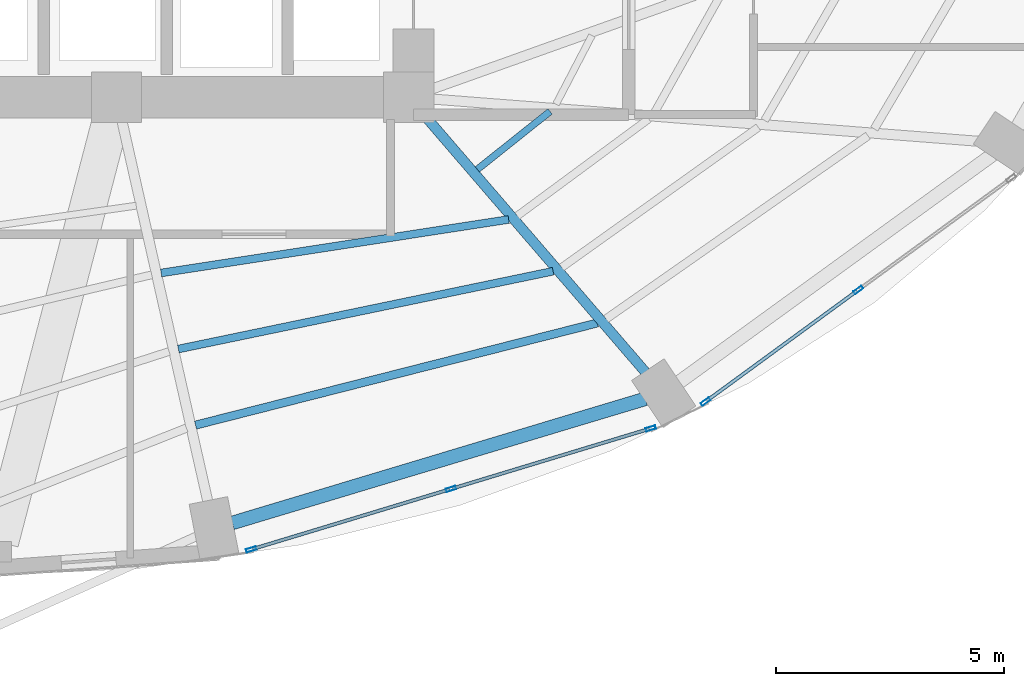
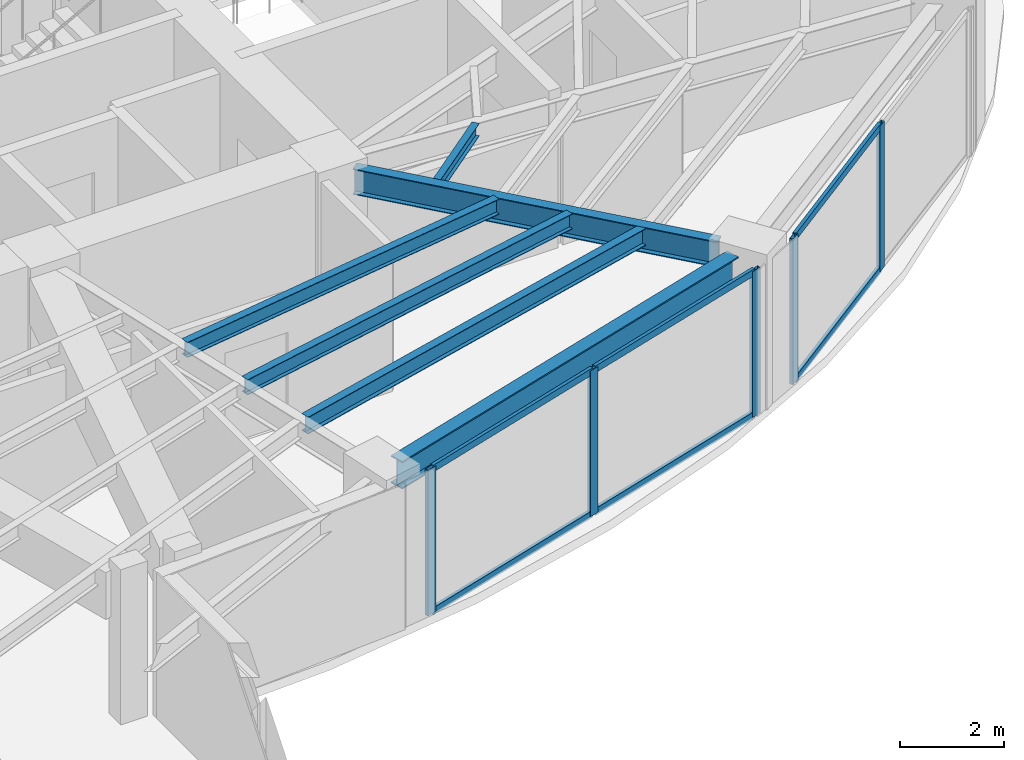
# One storey, part 9 of 24: 11 members, 6 beams, 2 elements without a shape of their own.
"""IFC4 building model written with IfcOpenShell, lengths in metres."""

from ifc_helpers import new_model, si_unit, direction, frame, origin, origin_2d, place, context, subcontext, project, spatial, hollow_rectangle, i_section, extrude, material, layer, layer_set, material_profile, profile_set, type_object, element, aggregate, save


model = new_model("IFC4")

# Units and contexts
model_context = context("Model", 3, precision=1e-05, world=origin(), true_north=direction((0.0, 1.0)))
body_context = subcontext(model_context, "Body", "Model", "MODEL_VIEW")
ifc_project = project(units=[si_unit("LENGTHUNIT", "METRE"), si_unit("AREAUNIT", "SQUARE_METRE"), si_unit("VOLUMEUNIT", "CUBIC_METRE"), si_unit("PLANEANGLEUNIT", "RADIAN"), si_unit("MASSUNIT", "GRAM", prefix="KILO")], contexts=[model_context])

# Site, building, storey
site_placement = place(None, origin())
site = spatial("IfcSite", under=ifc_project, at=site_placement, CompositionType="ELEMENT")
building_placement = place(site_placement, origin())
building = spatial("IfcBuilding", under=site, at=building_placement, Name="Lazwardi Medical Tower", CompositionType="ELEMENT")
storey_placement = place(building_placement, frame((0.0, 0.0, 54.384033203125)))
storey = spatial("IfcBuildingStorey", under=building, at=storey_placement, Name="L13", CompositionType="ELEMENT", Elevation=54.384033203125)

# Beams
ifc_material_1 = material(Name="Steel S355", Category="steel")
ifc_material_profile_1 = material_profile(ifc_material_1, i_section(OverallWidth=0.300048828125, OverallDepth=0.64990234375, WebThickness=0.01611328125, FlangeThickness=0.031005859375, at=origin_2d()), Name="HEB 650")
ifc_profile_set_1 = profile_set([ifc_material_profile_1], Name="Steel S355")
beam_type_1 = type_object("IfcBeamType", Name="BM-RB-Z1", PredefinedType="BEAM", material=ifc_profile_set_1)
beam_1_placement = place(storey_placement, frame((41.73291015625, 11.076904296875, 3.10302734375), z_axis=(0.957695289269, 0.287784177662, 0.0), x_axis=(-0.287784177662, 0.957695289269, 0.0)))
element("IfcBeam", 1, at=beam_1_placement, inside=storey, type_object=beam_type_1, Name="Ring beam RB-02 B01 L13", PredefinedType="BEAM", context=body_context, shape_type="SweptSolid", body=[
    extrude(i_section(OverallWidth=0.300048828125, OverallDepth=0.64990234375, WebThickness=0.01611328125, FlangeThickness=0.031005859375, at=origin_2d()), origin(), (0.0, 0.0, 1.0), 9.445556640625),
])
ifc_material_profile_2 = material_profile(ifc_material_1, i_section(OverallWidth=0.219970703125, OverallDepth=0.60009765625, WebThickness=0.011962890625, FlangeThickness=0.01904296875, at=origin_2d()), Name="IPE 600")
ifc_profile_set_2 = profile_set([ifc_material_profile_2], Name="Steel S355")
beam_type_2 = type_object("IfcBeamType", Name="BM-RG-W1", PredefinedType="BEAM", material=ifc_profile_set_2)
beam_2_placement = place(storey_placement, frame((50.802490234375, 14.355712890625, 3.1279296875), z_axis=(-0.652368190463, 0.757902199543, 0.0), x_axis=(-0.757902199543, -0.652368190463, 0.0)))
element("IfcBeam", 2, at=beam_2_placement, inside=storey, type_object=beam_type_2, Name="Radial girder RG-02 R02 L13", PredefinedType="BEAM", context=body_context, shape_type="SweptSolid", body=[
    extrude(i_section(OverallWidth=0.219970703125, OverallDepth=0.60009765625, WebThickness=0.011962890625, FlangeThickness=0.01904296875, at=origin_2d()), origin(), (0.0, 0.0, 1.0), 7.43994140625),
])
ifc_material_profile_3 = material_profile(ifc_material_1, i_section(OverallWidth=0.179931640625, OverallDepth=0.39990234375, WebThickness=0.008544921875, FlangeThickness=0.013427734375, at=origin_2d()), Name="IPE 400")
ifc_profile_set_3 = profile_set([ifc_material_profile_3], Name="Steel S355")
beam_type_3 = type_object("IfcBeamType", Name="BM-SJ-01", PredefinedType="JOIST", material=ifc_profile_set_3)
beam_3_placement = place(storey_placement, frame((40.927734375, 13.218994140625, 3.22802734375), z_axis=(0.969151012048, 0.246467677081, 0.0), x_axis=(-0.246467677081, 0.969151012048, 0.0)))
element("IfcBeam", 3, at=beam_3_placement, inside=storey, type_object=beam_type_3, Name="Secondary joist SJ-01 R1 B01 L13", PredefinedType="JOIST", context=body_context, shape_type="SweptSolid", body=[
    extrude(i_section(OverallWidth=0.179931640625, OverallDepth=0.39990234375, WebThickness=0.008544921875, FlangeThickness=0.013427734375, at=origin_2d()), origin(), (0.0, 0.0, 1.0), 9.08251953125),
])
ifc_material_profile_4 = material_profile(ifc_material_1, i_section(OverallWidth=0.169921875, OverallDepth=0.360107421875, WebThickness=0.008056640625, FlangeThickness=0.0126953125, at=origin_2d()), Name="IPE 360")
ifc_profile_set_4 = profile_set([ifc_material_profile_4], Name="Steel S355")
beam_type_4 = type_object("IfcBeamType", Name="BM-SJ-02", PredefinedType="JOIST", material=ifc_profile_set_4)
beam_4_placement = place(storey_placement, frame((40.5517578125, 14.885498046875, 3.248046875), z_axis=(0.979107693723, 0.203342381445, 0.0), x_axis=(-0.203342381445, 0.979107693723, 0.0)))
element("IfcBeam", 4, at=beam_4_placement, inside=storey, type_object=beam_type_4, Name="Secondary joist SJ-02 R2 B01 L13", PredefinedType="JOIST", context=body_context, shape_type="SweptSolid", body=[
    extrude(i_section(OverallWidth=0.169921875, OverallDepth=0.360107421875, WebThickness=0.008056640625, FlangeThickness=0.0126953125, at=origin_2d()), origin(), (0.0, 0.0, 1.0), 8.381591796875),
])
beam_5_placement = place(storey_placement, frame((40.175537109375, 16.551513671875, 3.248046875), z_axis=(0.988362899594, 0.152114360618, 0.0), x_axis=(-0.152114360618, 0.988362899594, 0.0)))
element("IfcBeam", 5, at=beam_5_placement, inside=storey, type_object=beam_type_4, Name="Secondary joist SJ-02 R3 B01 L13", PredefinedType="JOIST", context=body_context, shape_type="SweptSolid", body=[
    extrude(i_section(OverallWidth=0.169921875, OverallDepth=0.360107421875, WebThickness=0.008056640625, FlangeThickness=0.0126953125, at=origin_2d()), origin(), (0.0, 0.0, 1.0), 7.70068359375),
])
ifc_material_profile_5 = material_profile(ifc_material_1, i_section(OverallWidth=0.14990234375, OverallDepth=0.300048828125, WebThickness=0.007080078125, FlangeThickness=0.0107421875, at=origin_2d()), Name="IPE 300")
ifc_profile_set_5 = profile_set([ifc_material_profile_5], Name="Steel S355")
beam_type_5 = type_object("IfcBeamType", Name="BM-SJ-03", PredefinedType="JOIST", material=ifc_profile_set_5)
beam_6_placement = place(storey_placement, frame((47.098876953125, 18.8193359375, 3.278076171875), z_axis=(0.782210957226, 0.623013658274, 0.0), x_axis=(-0.623013658274, 0.782210957226, 0.0)))
element("IfcBeam", 6, at=beam_6_placement, inside=storey, type_object=beam_type_5, Name="Secondary joist SJ-03 R4 B02 L13", PredefinedType="JOIST", context=body_context, shape_type="SweptSolid", body=[
    extrude(i_section(OverallWidth=0.14990234375, OverallDepth=0.300048828125, WebThickness=0.007080078125, FlangeThickness=0.0107421875, at=origin_2d()), origin(), (0.0, 0.0, 1.0), 2.0380859375),
])

# Curtain wall, members
ifc_material_2 = material(Name="Anodised bronze aluminium and solar control glazing", Category="aluminium")
ifc_layer = layer(ifc_material_2, 0.199951171875)
ifc_layer_set = layer_set([ifc_layer], Name="Anodised bronze aluminium and solar control glazing")
curtain_wall_type = type_object("IfcCurtainWallType", Name="CW-SYS-02", PredefinedType="NOTDEFINED", material=ifc_layer_set)
curtain_wall_1_placement = place(storey_placement, origin())
curtain_wall_1 = element("IfcCurtainWall", 7, at=curtain_wall_1_placement, inside=storey, type_object=curtain_wall_type, Name="L13 Unitised bronze curtain wall CW-02", PredefinedType="NOTDEFINED")
ifc_material_3 = material(Name="Anodised bronze aluminium", Category="aluminium")
ifc_material_profile_6 = material_profile(ifc_material_3, hollow_rectangle(XDim=0.074951171875, YDim=0.219970703125, WallThickness=0.00390625, at=origin_2d()), Name="ALU-MULLION 220x75x4")
ifc_profile_set_6 = profile_set([ifc_material_profile_6], Name="Anodised bronze aluminium")
member_type_1 = type_object("IfcMemberType", Name="CW-MUL-01", PredefinedType="MULLION", material=ifc_profile_set_6)
member_1_placement = place(storey_placement, frame((42.14794921875, 10.496337890625, 0.0), z_axis=(0.0, 0.0, 1.0), x_axis=(-0.2898956909, 0.957058247129, 0.0)))
member_1 = element("IfcMember", 8, at=member_1_placement, type_object=member_type_1, Name="CW-02 mullion 1", PredefinedType="MULLION", context=body_context, shape_type="SweptSolid", body=[
    extrude(hollow_rectangle(XDim=0.074951171875, YDim=0.219970703125, WallThickness=0.00390625, at=origin_2d()), origin(), (0.0, 0.0, 1.0), 3.427978515625),
])
member_2_placement = place(storey_placement, frame((46.523193359375, 11.821533203125, 0.0), z_axis=(0.0, 0.0, 1.0), x_axis=(-0.2898956909, 0.957058247129, 0.0)))
member_2 = element("IfcMember", 9, at=member_2_placement, type_object=member_type_1, Name="CW-02 mullion 2", PredefinedType="MULLION", context=body_context, shape_type="SweptSolid", body=[
    extrude(hollow_rectangle(XDim=0.074951171875, YDim=0.219970703125, WallThickness=0.00390625, at=origin_2d()), origin(), (0.0, 0.0, 1.0), 3.427978515625),
])
member_3_placement = place(storey_placement, frame((50.8984375, 13.146728515625, 0.0), z_axis=(0.0, 0.0, 1.0), x_axis=(-0.2898956909, 0.957058247129, 0.0)))
member_3 = element("IfcMember", 10, at=member_3_placement, type_object=member_type_1, Name="CW-02 mullion 3", PredefinedType="MULLION", context=body_context, shape_type="SweptSolid", body=[
    extrude(hollow_rectangle(XDim=0.074951171875, YDim=0.219970703125, WallThickness=0.00390625, at=origin_2d()), origin(), (0.0, 0.0, 1.0), 3.427978515625),
])

curtain_wall_2_placement = place(storey_placement, origin())
curtain_wall_2 = element("IfcCurtainWall", 11, at=curtain_wall_2_placement, inside=storey, type_object=curtain_wall_type, Name="L13 Unitised bronze curtain wall CW-02", PredefinedType="NOTDEFINED")
member_4_placement = place(storey_placement, frame((52.0986328125, 13.73388671875, 0.0), z_axis=(0.0, 0.0, 1.0), x_axis=(-0.590289307341, 0.807191757663, 0.0)))
member_4 = element("IfcMember", 12, at=member_4_placement, type_object=member_type_1, Name="CW-02 mullion 1", PredefinedType="MULLION", context=body_context, shape_type="SweptSolid", body=[
    extrude(hollow_rectangle(XDim=0.074951171875, YDim=0.219970703125, WallThickness=0.00390625, at=origin_2d()), origin(), (0.0, 0.0, 1.0), 3.427978515625),
])
member_5_placement = place(storey_placement, frame((55.4443359375, 16.1806640625, 0.0), z_axis=(0.0, 0.0, 1.0), x_axis=(-0.590289307341, 0.807191757663, 0.0)))
member_5 = element("IfcMember", 13, at=member_5_placement, type_object=member_type_1, Name="CW-02 mullion 2", PredefinedType="MULLION", context=body_context, shape_type="SweptSolid", body=[
    extrude(hollow_rectangle(XDim=0.074951171875, YDim=0.219970703125, WallThickness=0.00390625, at=origin_2d()), origin(), (0.0, 0.0, 1.0), 3.427978515625),
])

# Member
ifc_material_profile_7 = material_profile(ifc_material_3, hollow_rectangle(XDim=0.074951171875, YDim=0.159912109375, WallThickness=0.00390625, at=origin_2d()), Name="ALU-TRANSOM 160x75x4")
ifc_profile_set_7 = profile_set([ifc_material_profile_7], Name="Anodised bronze aluminium")
member_type_2 = type_object("IfcMemberType", Name="CW-TRN-01", PredefinedType="USERDEFINED", material=ifc_profile_set_7)
member_6_placement = place(storey_placement, frame((42.183837890625, 10.507080078125, 0.037353515625), z_axis=(0.957047233423, 0.28993204893, 0.0), x_axis=(-0.28993204893, 0.957047233423, 0.0)))
member_6 = element("IfcMember", 14, at=member_6_placement, type_object=member_type_2, Name="CW-02 transom 1.1", ObjectType="TRANSOM", PredefinedType="USERDEFINED", context=body_context, shape_type="SweptSolid", body=[
    extrude(hollow_rectangle(XDim=0.074951171875, YDim=0.159912109375, WallThickness=0.00390625, at=origin_2d()), origin(), (0.0, 0.0, 1.0), 4.49658203125),
])

member_7_placement = place(storey_placement, frame((42.183837890625, 10.507080078125, 3.390380859375), z_axis=(0.957047233423, 0.28993204893, 0.0), x_axis=(-0.28993204893, 0.957047233423, 0.0)))
member_7 = element("IfcMember", 15, at=member_7_placement, type_object=member_type_2, Name="CW-02 transom 1.2", ObjectType="TRANSOM", PredefinedType="USERDEFINED", context=body_context, shape_type="SweptSolid", body=[
    extrude(hollow_rectangle(XDim=0.074951171875, YDim=0.159912109375, WallThickness=0.00390625, at=origin_2d()), origin(), (0.0, 0.0, 1.0), 4.49658203125),
])

member_8_placement = place(storey_placement, frame((46.55908203125, 11.83251953125, 0.037353515625), z_axis=(0.957062297904, 0.289882317383, 0.0), x_axis=(-0.289882317383, 0.957062297904, 0.0)))
member_8 = element("IfcMember", 16, at=member_8_placement, type_object=member_type_2, Name="CW-02 transom 2.1", ObjectType="TRANSOM", PredefinedType="USERDEFINED", context=body_context, shape_type="SweptSolid", body=[
    extrude(hollow_rectangle(XDim=0.074951171875, YDim=0.159912109375, WallThickness=0.00390625, at=origin_2d()), origin(), (0.0, 0.0, 1.0), 4.49658203125),
])

member_9_placement = place(storey_placement, frame((46.55908203125, 11.83251953125, 3.390380859375), z_axis=(0.957062297904, 0.289882317383, 0.0), x_axis=(-0.289882317383, 0.957062297904, 0.0)))
member_9 = element("IfcMember", 17, at=member_9_placement, type_object=member_type_2, Name="CW-02 transom 2.2", ObjectType="TRANSOM", PredefinedType="USERDEFINED", context=body_context, shape_type="SweptSolid", body=[
    extrude(hollow_rectangle(XDim=0.074951171875, YDim=0.159912109375, WallThickness=0.00390625, at=origin_2d()), origin(), (0.0, 0.0, 1.0), 4.49658203125),
])

aggregate(curtain_wall_1, [member_1, member_2, member_3, member_6, member_7, member_8, member_9])

member_10_placement = place(storey_placement, frame((52.12890625, 13.756103515625, 0.037353515625), z_axis=(0.807197636578, 0.590281268128, 0.0), x_axis=(-0.590281268128, 0.807197636578, 0.0)))
member_10 = element("IfcMember", 18, at=member_10_placement, type_object=member_type_2, Name="CW-02 transom 1.1", ObjectType="TRANSOM", PredefinedType="USERDEFINED", context=body_context, shape_type="SweptSolid", body=[
    extrude(hollow_rectangle(XDim=0.074951171875, YDim=0.159912109375, WallThickness=0.00390625, at=origin_2d()), origin(), (0.0, 0.0, 1.0), 4.06982421875),
])

member_11_placement = place(storey_placement, frame((52.12890625, 13.756103515625, 3.390380859375), z_axis=(0.807197636578, 0.590281268128, 0.0), x_axis=(-0.590281268128, 0.807197636578, 0.0)))
member_11 = element("IfcMember", 19, at=member_11_placement, type_object=member_type_2, Name="CW-02 transom 1.2", ObjectType="TRANSOM", PredefinedType="USERDEFINED", context=body_context, shape_type="SweptSolid", body=[
    extrude(hollow_rectangle(XDim=0.074951171875, YDim=0.159912109375, WallThickness=0.00390625, at=origin_2d()), origin(), (0.0, 0.0, 1.0), 4.06982421875),
])

aggregate(curtain_wall_2, [member_4, member_5, member_10, member_11])

save(model, "model.ifc")
